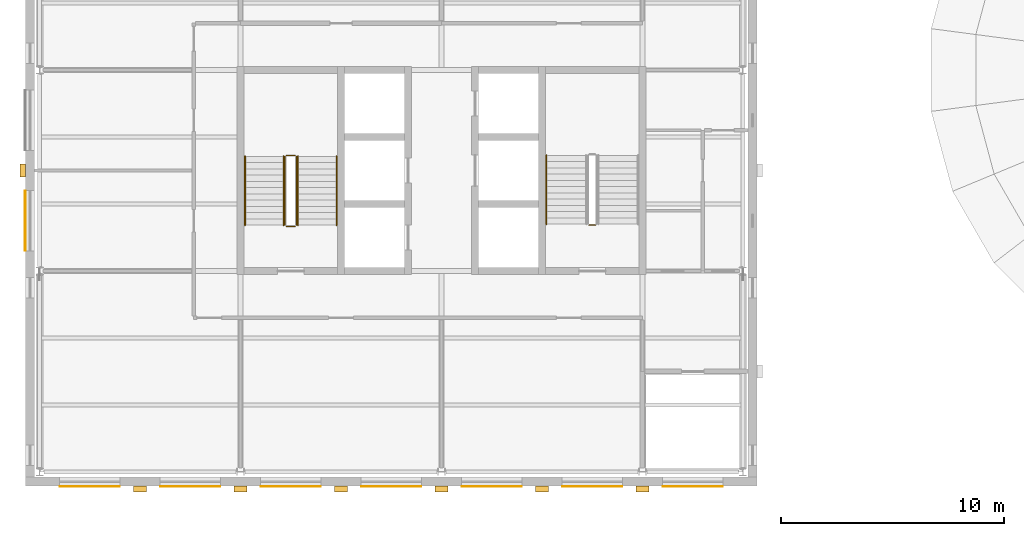
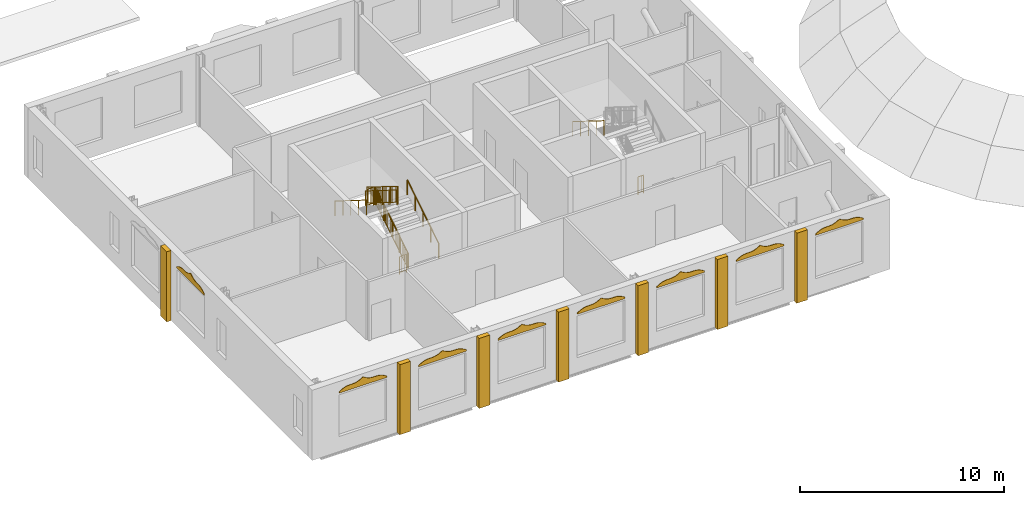
# One storey, part 14 of 15: 15 coverings, 10 railings.
"""IFC4 building model written with IfcOpenShell, lengths in metres."""

from ifc_helpers import new_model, si_unit, direction, frame, origin, origin_2d, place, context, subcontext, project, spatial, polyline, rectangle, circle, outline, extrude, material, layer, layer_set, type_object, element, save


model = new_model("IFC4")

# Units and contexts
model_context = context("Model", 3, precision=1e-05, world=origin(), true_north=direction((0.0, 1.0)))
body_context = subcontext(model_context, "Body", "Model", "MODEL_VIEW")
ifc_project = project(units=[si_unit("LENGTHUNIT", "METRE"), si_unit("AREAUNIT", "SQUARE_METRE"), si_unit("VOLUMEUNIT", "CUBIC_METRE"), si_unit("PLANEANGLEUNIT", "RADIAN"), si_unit("MASSUNIT", "GRAM", prefix="KILO")], contexts=[model_context])

# Site, building, storey
site_placement = place(None, origin())
site = spatial("IfcSite", under=ifc_project, at=site_placement, CompositionType="ELEMENT")
building_placement = place(site_placement, origin())
building = spatial("IfcBuilding", under=site, at=building_placement, Name="Hortulan Conservatory and Botanical Research Centre", CompositionType="ELEMENT")
storey_placement = place(building_placement, frame((0.0, 0.0, 23.39990234375)))
storey = spatial("IfcBuildingStorey", under=building, at=storey_placement, Name="L05", CompositionType="ELEMENT", Elevation=23.39990234375)

# Coverings
ifc_material_1 = material(Name="Faience cladding, cream glaze (non-combustible)", Category="ceramic")
ifc_layer_1 = layer(ifc_material_1, 0.030029296875)
ifc_layer_set_1 = layer_set([ifc_layer_1], Name="Faience Ogee Head Panel Cream 2700x500")
covering_type_1 = type_object("IfcCoveringType", Name="Faience Ogee Head Panel Cream 2700x500", PredefinedType="CLADDING", material=ifc_layer_set_1)
for number, where, z_axis, x_axis, name in (
    (1, (3.60009765625, -0.65087890625, 3.52001953125), (0.0, 0.0, 1.0), (-1.0, 0.0, 0.0), "Ogee head panel"),
    (2, (26.10009765625, -0.65087890625, 3.52001953125), (0.0, 0.0, 1.0), (-1.0, 0.0, 0.0), "Ogee head panel"),
    (3, (30.60009765625, -0.65087890625, 3.52001953125), (0.0, 0.0, 1.0), (-1.0, 0.0, 0.0), "Ogee head panel"),
):
    element("IfcCovering", number, at=place(storey_placement, frame(where, z_axis=z_axis, x_axis=x_axis)), inside=storey, type_object=covering_type_1, Name=name, PredefinedType="CLADDING", context=body_context, shape_type="SweptSolid", body=[
        extrude(outline(polyline([(0.0, 0.0), (2.699951171875, 0.0), (2.699951171875, 0.080078125), (2.58740234375, 0.148681640625), (2.47509765625, 0.208251953125), (2.362548828125, 0.252197265625), (2.25, 0.2783203125), (2.137451171875, 0.28857421875), (2.02490234375, 0.2900390625), (1.91259765625, 0.29150390625), (1.800048828125, 0.3017578125), (1.6875, 0.327880859375), (1.574951171875, 0.371826171875), (1.46240234375, 0.431396484375), (1.35009765625, 0.5), (1.237548828125, 0.431396484375), (1.125, 0.371826171875), (1.012451171875, 0.327880859375), (0.89990234375, 0.3017578125), (0.78759765625, 0.29150390625), (0.675048828125, 0.2900390625), (0.5625, 0.28857421875), (0.449951171875, 0.2783203125), (0.33740234375, 0.252197265625), (0.22509765625, 0.208251953125), (0.112548828125, 0.148681640625), (0.0, 0.080078125), (0.0, 0.0)])), frame((0.0, 0.01513671875, 0.0), z_axis=(0.0, -1.0, 0.0), x_axis=(1.0, 0.0, 0.0)), (0.0, 0.0, 1.0), 0.030029296875),
    ])
ifc_material_2 = material(Name="Faience cladding, waratah crimson glaze (non-combustible)", Category="ceramic")
ifc_layer_2 = layer(ifc_material_2, 0.030029296875)
ifc_layer_set_2 = layer_set([ifc_layer_2], Name="Faience Ogee Head Panel Crimson 2700x500")
covering_type_2 = type_object("IfcCoveringType", Name="Faience Ogee Head Panel Crimson 2700x500", PredefinedType="CLADDING", material=ifc_layer_set_2)
for number, where, z_axis, x_axis, name in (
    (4, (8.10009765625, -0.65087890625, 3.52001953125), (0.0, 0.0, 1.0), (-1.0, 0.0, 0.0), "Ogee head panel"),
    (5, (12.60009765625, -0.65087890625, 3.52001953125), (0.0, 0.0, 1.0), (-1.0, 0.0, 0.0), "Ogee head panel"),
    (6, (-0.639892578125, 9.89990234375, 3.52001953125), (0.0, 0.0, 1.0), (0.0, 1.0, 0.0), "Ogee head panel"),
):
    element("IfcCovering", number, at=place(storey_placement, frame(where, z_axis=z_axis, x_axis=x_axis)), inside=storey, type_object=covering_type_2, Name=name, PredefinedType="CLADDING", context=body_context, shape_type="SweptSolid", body=[
        extrude(outline(polyline([(0.0, 0.0), (2.699951171875, 0.0), (2.699951171875, 0.080078125), (2.58740234375, 0.148681640625), (2.47509765625, 0.208251953125), (2.362548828125, 0.252197265625), (2.25, 0.2783203125), (2.137451171875, 0.28857421875), (2.02490234375, 0.2900390625), (1.91259765625, 0.29150390625), (1.800048828125, 0.3017578125), (1.6875, 0.327880859375), (1.574951171875, 0.371826171875), (1.46240234375, 0.431396484375), (1.35009765625, 0.5), (1.237548828125, 0.431396484375), (1.125, 0.371826171875), (1.012451171875, 0.327880859375), (0.89990234375, 0.3017578125), (0.78759765625, 0.29150390625), (0.675048828125, 0.2900390625), (0.5625, 0.28857421875), (0.449951171875, 0.2783203125), (0.33740234375, 0.252197265625), (0.22509765625, 0.208251953125), (0.112548828125, 0.148681640625), (0.0, 0.080078125), (0.0, 0.0)])), frame((0.0, 0.01513671875, 0.0), z_axis=(0.0, -1.0, 0.0), x_axis=(1.0, 0.0, 0.0)), (0.0, 0.0, 1.0), 0.030029296875),
    ])
ifc_material_3 = material(Name="Faience cladding, harbour teal glaze (non-combustible)", Category="ceramic")
ifc_layer_3 = layer(ifc_material_3, 0.030029296875)
ifc_layer_set_3 = layer_set([ifc_layer_3], Name="Faience Ogee Head Panel Teal 2700x500")
covering_type_3 = type_object("IfcCoveringType", Name="Faience Ogee Head Panel Teal 2700x500", PredefinedType="CLADDING", material=ifc_layer_set_3)
for number, where, z_axis, x_axis, name in (
    (7, (17.10009765625, -0.65087890625, 3.52001953125), (0.0, 0.0, 1.0), (-1.0, 0.0, 0.0), "Ogee head panel"),
    (8, (21.60009765625, -0.65087890625, 3.52001953125), (0.0, 0.0, 1.0), (-1.0, 0.0, 0.0), "Ogee head panel"),
):
    element("IfcCovering", number, at=place(storey_placement, frame(where, z_axis=z_axis, x_axis=x_axis)), inside=storey, type_object=covering_type_3, Name=name, PredefinedType="CLADDING", context=body_context, shape_type="SweptSolid", body=[
        extrude(outline(polyline([(0.0, 0.0), (2.699951171875, 0.0), (2.699951171875, 0.080078125), (2.58740234375, 0.148681640625), (2.47509765625, 0.208251953125), (2.362548828125, 0.252197265625), (2.25, 0.2783203125), (2.137451171875, 0.28857421875), (2.02490234375, 0.2900390625), (1.91259765625, 0.29150390625), (1.800048828125, 0.3017578125), (1.6875, 0.327880859375), (1.574951171875, 0.371826171875), (1.46240234375, 0.431396484375), (1.35009765625, 0.5), (1.237548828125, 0.431396484375), (1.125, 0.371826171875), (1.012451171875, 0.327880859375), (0.89990234375, 0.3017578125), (0.78759765625, 0.29150390625), (0.675048828125, 0.2900390625), (0.5625, 0.28857421875), (0.449951171875, 0.2783203125), (0.33740234375, 0.252197265625), (0.22509765625, 0.208251953125), (0.112548828125, 0.148681640625), (0.0, 0.080078125), (0.0, 0.0)])), frame((0.0, 0.01513671875, 0.0), z_axis=(0.0, -1.0, 0.0), x_axis=(1.0, 0.0, 0.0)), (0.0, 0.0, 1.0), 0.030029296875),
    ])
ifc_layer_4 = layer(ifc_material_1, 0.25)
ifc_layer_set_4 = layer_set([ifc_layer_4], Name="Faience Pilaster 600x250")
covering_type_4 = type_object("IfcCoveringType", Name="Faience Pilaster 600x250", PredefinedType="CLADDING", material=ifc_layer_set_4)
for number, where, z_axis, x_axis, name in (
    (9, (27.0, -0.760986328125, 0.0), (0.0, 0.0, 1.0), (-1.0, 0.0, 0.0), "Pier"),
    (10, (22.5, -0.760986328125, 0.0), (0.0, 0.0, 1.0), (-1.0, 0.0, 0.0), "Pier"),
    (11, (18.0, -0.760986328125, 0.0), (0.0, 0.0, 1.0), (-1.0, 0.0, 0.0), "Pier"),
    (12, (13.5, -0.760986328125, 0.0), (0.0, 0.0, 1.0), (-1.0, 0.0, 0.0), "Pier"),
    (13, (9.0, -0.760986328125, 0.0), (0.0, 0.0, 1.0), (-1.0, 0.0, 0.0), "Pier"),
    (14, (4.5, -0.760986328125, 0.0), (0.0, 0.0, 1.0), (-1.0, 0.0, 0.0), "Pier"),
    (15, (-0.75, 13.5, 0.0), (0.0, 0.0, 1.0), (0.0, 1.0, 0.0), "Pier"),
):
    element("IfcCovering", number, at=place(storey_placement, frame(where, z_axis=z_axis, x_axis=x_axis)), inside=storey, type_object=covering_type_4, Name=name, PredefinedType="CLADDING", context=body_context, shape_type="SweptSolid", body=[
        extrude(rectangle(XDim=0.60009765625, YDim=0.25, at=origin_2d()), origin(), (0.0, 0.0, 1.0), 4.199951171875),
    ])

# Railings
ifc_material_4 = material(Name="Steel balustrade, bronze-charcoal paint", Category="steel")
railing_type_1 = type_object("IfcRailingType", Name="Stair Guard 1100", PredefinedType="GUARDRAIL", material=ifc_material_4)
railing_1_placement = place(storey_placement, frame((11.5, 11.050048828125, 0.175048828125)))
element("IfcRailing", 16, at=railing_1_placement, inside=storey, type_object=railing_type_1, Name="Guard T1 L05 stair 1", PredefinedType="GUARDRAIL", context=body_context, shape_type="SweptSolid", body=[
    extrude(circle(Radius=0.02392578125, at=origin_2d()), frame((0.0, 0.0, 1.076171875), z_axis=(0.0, 0.847979421464, 0.530029150871), x_axis=(-1.0, 0.0, 0.0)), (0.0, 0.0, 1.0), 3.632080078125),
    extrude(circle(Radius=0.02392578125, at=origin_2d()), frame((0.0, 0.0, 0.1240234375), z_axis=(0.0, 0.847979421464, 0.530029150871), x_axis=(-1.0, 0.0, 0.0)), (0.0, 0.0, 1.0), 3.632080078125),
    extrude(circle(Radius=0.008056640625, at=origin_2d()), frame((0.0, 0.090576171875, 0.204833984375)), (0.0, 0.0, 1.0), 0.90380859375),
    extrude(circle(Radius=0.008056640625, at=origin_2d()), frame((0.0, 0.18115234375, 0.261474609375)), (0.0, 0.0, 1.0), 0.90380859375),
    extrude(circle(Radius=0.008056640625, at=origin_2d()), frame((0.0, 0.271728515625, 0.318115234375)), (0.0, 0.0, 1.0), 0.90380859375),
    extrude(circle(Radius=0.008056640625, at=origin_2d()), frame((0.0, 0.3623046875, 0.374755859375)), (0.0, 0.0, 1.0), 0.90380859375),
    extrude(circle(Radius=0.008056640625, at=origin_2d()), frame((0.0, 0.452880859375, 0.431396484375)), (0.0, 0.0, 1.0), 0.90380859375),
    extrude(circle(Radius=0.008056640625, at=origin_2d()), frame((0.0, 0.54345703125, 0.48779296875)), (0.0, 0.0, 1.0), 0.90380859375),
    extrude(circle(Radius=0.008056640625, at=origin_2d()), frame((0.0, 0.634033203125, 0.54443359375)), (0.0, 0.0, 1.0), 0.90380859375),
    extrude(circle(Radius=0.008056640625, at=origin_2d()), frame((0.0, 0.724609375, 0.60107421875)), (0.0, 0.0, 1.0), 0.90380859375),
    extrude(circle(Radius=0.008056640625, at=origin_2d()), frame((0.0, 0.815185546875, 0.65771484375)), (0.0, 0.0, 1.0), 0.90380859375),
    extrude(circle(Radius=0.008056640625, at=origin_2d()), frame((0.0, 0.90576171875, 0.71435546875)), (0.0, 0.0, 1.0), 0.90380859375),
    extrude(circle(Radius=0.008056640625, at=origin_2d()), frame((0.0, 0.996337890625, 0.77099609375)), (0.0, 0.0, 1.0), 0.90380859375),
    extrude(circle(Radius=0.008056640625, at=origin_2d()), frame((0.0, 1.0869140625, 0.82763671875)), (0.0, 0.0, 1.0), 0.90380859375),
    extrude(circle(Radius=0.008056640625, at=origin_2d()), frame((0.0, 1.177490234375, 0.88427734375)), (0.0, 0.0, 1.0), 0.90380859375),
    extrude(circle(Radius=0.008056640625, at=origin_2d()), frame((0.0, 1.26806640625, 0.94091796875)), (0.0, 0.0, 1.0), 0.90380859375),
    extrude(circle(Radius=0.008056640625, at=origin_2d()), frame((0.0, 1.358642578125, 0.99755859375)), (0.0, 0.0, 1.0), 0.90380859375),
    extrude(circle(Radius=0.008056640625, at=origin_2d()), frame((0.0, 1.44921875, 1.05419921875)), (0.0, 0.0, 1.0), 0.90380859375),
    extrude(circle(Radius=0.008056640625, at=origin_2d()), frame((0.0, 1.5400390625, 1.11083984375)), (0.0, 0.0, 1.0), 0.90380859375),
    extrude(circle(Radius=0.008056640625, at=origin_2d()), frame((0.0, 1.630615234375, 1.167236328125)), (0.0, 0.0, 1.0), 0.90380859375),
    extrude(circle(Radius=0.008056640625, at=origin_2d()), frame((0.0, 1.72119140625, 1.223876953125)), (0.0, 0.0, 1.0), 0.90380859375),
    extrude(circle(Radius=0.008056640625, at=origin_2d()), frame((0.0, 1.811767578125, 1.280517578125)), (0.0, 0.0, 1.0), 0.90380859375),
    extrude(circle(Radius=0.008056640625, at=origin_2d()), frame((0.0, 1.90234375, 1.337158203125)), (0.0, 0.0, 1.0), 0.90380859375),
    extrude(circle(Radius=0.008056640625, at=origin_2d()), frame((0.0, 1.992919921875, 1.393798828125)), (0.0, 0.0, 1.0), 0.90380859375),
    extrude(circle(Radius=0.008056640625, at=origin_2d()), frame((0.0, 2.08349609375, 1.450439453125)), (0.0, 0.0, 1.0), 0.90380859375),
    extrude(circle(Radius=0.008056640625, at=origin_2d()), frame((0.0, 2.174072265625, 1.507080078125)), (0.0, 0.0, 1.0), 0.90380859375),
    extrude(circle(Radius=0.008056640625, at=origin_2d()), frame((0.0, 2.2646484375, 1.563720703125)), (0.0, 0.0, 1.0), 0.90380859375),
    extrude(circle(Radius=0.008056640625, at=origin_2d()), frame((0.0, 2.355224609375, 1.620361328125)), (0.0, 0.0, 1.0), 0.90380859375),
    extrude(circle(Radius=0.008056640625, at=origin_2d()), frame((0.0, 2.44580078125, 1.677001953125)), (0.0, 0.0, 1.0), 0.90380859375),
    extrude(circle(Radius=0.008056640625, at=origin_2d()), frame((0.0, 2.536376953125, 1.733642578125)), (0.0, 0.0, 1.0), 0.90380859375),
    extrude(circle(Radius=0.008056640625, at=origin_2d()), frame((0.0, 2.626953125, 1.7900390625)), (0.0, 0.0, 1.0), 0.90380859375),
    extrude(circle(Radius=0.008056640625, at=origin_2d()), frame((0.0, 2.717529296875, 1.8466796875)), (0.0, 0.0, 1.0), 0.90380859375),
    extrude(circle(Radius=0.008056640625, at=origin_2d()), frame((0.0, 2.80810546875, 1.9033203125)), (0.0, 0.0, 1.0), 0.90380859375),
    extrude(circle(Radius=0.008056640625, at=origin_2d()), frame((0.0, 2.898681640625, 1.9599609375)), (0.0, 0.0, 1.0), 0.90380859375),
    extrude(circle(Radius=0.008056640625, at=origin_2d()), frame((0.0, 2.9892578125, 2.0166015625)), (0.0, 0.0, 1.0), 0.90380859375),
    extrude(circle(Radius=0.02099609375, at=origin_2d()), origin(), (0.0, 0.0, 1.0), 1.052001953125),
    extrude(circle(Radius=0.02099609375, at=origin_2d()), frame((0.0, 0.77001953125, 0.481201171875)), (0.0, 0.0, 1.0), 1.052001953125),
    extrude(circle(Radius=0.02099609375, at=origin_2d()), frame((0.0, 1.5400390625, 0.96240234375)), (0.0, 0.0, 1.0), 1.052001953125),
    extrude(circle(Radius=0.02099609375, at=origin_2d()), frame((0.0, 2.309814453125, 1.44384765625)), (0.0, 0.0, 1.0), 1.052001953125),
    extrude(circle(Radius=0.02099609375, at=origin_2d()), frame((0.0, 3.079833984375, 1.925048828125)), (0.0, 0.0, 1.0), 1.052001953125),
])
railing_2_placement = place(storey_placement, frame((11.449951171875, 14.179931640625, 2.10009765625)))
element("IfcRailing", 17, at=railing_2_placement, inside=storey, type_object=railing_type_1, Name="Guard T1 L05 stair 2", PredefinedType="GUARDRAIL", context=body_context, shape_type="SweptSolid", body=[
    extrude(circle(Radius=0.02392578125, at=origin_2d()), frame((0.0, 0.0, 1.076171875), z_axis=(-1.0, 0.0, 0.0), x_axis=(0.0, -1.0, 0.0)), (0.0, 0.0, 1.0), 0.39990234375),
    extrude(circle(Radius=0.02392578125, at=origin_2d()), frame((0.0, 0.0, 0.1240234375), z_axis=(-1.0, 0.0, 0.0), x_axis=(0.0, -1.0, 0.0)), (0.0, 0.0, 1.0), 0.39990234375),
    extrude(circle(Radius=0.008056640625, at=origin_2d()), frame((-0.10009765625, 0.0, 0.148193359375)), (0.0, 0.0, 1.0), 0.90380859375),
    extrude(circle(Radius=0.008056640625, at=origin_2d()), frame((-0.199951171875, 0.0, 0.148193359375)), (0.0, 0.0, 1.0), 0.90380859375),
    extrude(circle(Radius=0.008056640625, at=origin_2d()), frame((-0.2998046875, 0.0, 0.148193359375)), (0.0, 0.0, 1.0), 0.90380859375),
    extrude(circle(Radius=0.02099609375, at=origin_2d()), origin(), (0.0, 0.0, 1.0), 1.052001953125),
    extrude(circle(Radius=0.02099609375, at=origin_2d()), frame((-0.39990234375, 0.0, 0.0)), (0.0, 0.0, 1.0), 1.052001953125),
])
railing_3_placement = place(storey_placement, frame((11.0, 14.1298828125, 2.275146484375)))
element("IfcRailing", 18, at=railing_3_placement, inside=storey, type_object=railing_type_1, Name="Guard T1 L05 stair 3", PredefinedType="GUARDRAIL", context=body_context, shape_type="SweptSolid", body=[
    extrude(circle(Radius=0.02392578125, at=origin_2d()), frame((0.0, 0.0, 1.076171875), z_axis=(0.0, -0.847979421464, 0.530029150871), x_axis=(1.0, 0.0, 0.0)), (0.0, 0.0, 1.0), 3.632080078125),
    extrude(circle(Radius=0.02392578125, at=origin_2d()), frame((0.0, 0.0, 0.1240234375), z_axis=(0.0, -0.847979421464, 0.530029150871), x_axis=(1.0, 0.0, 0.0)), (0.0, 0.0, 1.0), 3.632080078125),
    extrude(circle(Radius=0.008056640625, at=origin_2d()), frame((0.0, -0.090576171875, 0.204833984375)), (0.0, 0.0, 1.0), 0.90380859375),
    extrude(circle(Radius=0.008056640625, at=origin_2d()), frame((0.0, -0.18115234375, 0.261474609375)), (0.0, 0.0, 1.0), 0.90380859375),
    extrude(circle(Radius=0.008056640625, at=origin_2d()), frame((0.0, -0.271728515625, 0.318115234375)), (0.0, 0.0, 1.0), 0.90380859375),
    extrude(circle(Radius=0.008056640625, at=origin_2d()), frame((0.0, -0.3623046875, 0.374755859375)), (0.0, 0.0, 1.0), 0.90380859375),
    extrude(circle(Radius=0.008056640625, at=origin_2d()), frame((0.0, -0.452880859375, 0.431396484375)), (0.0, 0.0, 1.0), 0.90380859375),
    extrude(circle(Radius=0.008056640625, at=origin_2d()), frame((0.0, -0.54345703125, 0.48779296875)), (0.0, 0.0, 1.0), 0.90380859375),
    extrude(circle(Radius=0.008056640625, at=origin_2d()), frame((0.0, -0.634033203125, 0.54443359375)), (0.0, 0.0, 1.0), 0.90380859375),
    extrude(circle(Radius=0.008056640625, at=origin_2d()), frame((0.0, -0.724609375, 0.60107421875)), (0.0, 0.0, 1.0), 0.90380859375),
    extrude(circle(Radius=0.008056640625, at=origin_2d()), frame((0.0, -0.815185546875, 0.65771484375)), (0.0, 0.0, 1.0), 0.90380859375),
    extrude(circle(Radius=0.008056640625, at=origin_2d()), frame((0.0, -0.90576171875, 0.71435546875)), (0.0, 0.0, 1.0), 0.90380859375),
    extrude(circle(Radius=0.008056640625, at=origin_2d()), frame((0.0, -0.996337890625, 0.77099609375)), (0.0, 0.0, 1.0), 0.90380859375),
    extrude(circle(Radius=0.008056640625, at=origin_2d()), frame((0.0, -1.0869140625, 0.82763671875)), (0.0, 0.0, 1.0), 0.90380859375),
    extrude(circle(Radius=0.008056640625, at=origin_2d()), frame((0.0, -1.177490234375, 0.88427734375)), (0.0, 0.0, 1.0), 0.90380859375),
    extrude(circle(Radius=0.008056640625, at=origin_2d()), frame((0.0, -1.26806640625, 0.94091796875)), (0.0, 0.0, 1.0), 0.90380859375),
    extrude(circle(Radius=0.008056640625, at=origin_2d()), frame((0.0, -1.358642578125, 0.99755859375)), (0.0, 0.0, 1.0), 0.90380859375),
    extrude(circle(Radius=0.008056640625, at=origin_2d()), frame((0.0, -1.44921875, 1.05419921875)), (0.0, 0.0, 1.0), 0.90380859375),
    extrude(circle(Radius=0.008056640625, at=origin_2d()), frame((0.0, -1.5400390625, 1.11083984375)), (0.0, 0.0, 1.0), 0.90380859375),
    extrude(circle(Radius=0.008056640625, at=origin_2d()), frame((0.0, -1.630615234375, 1.167236328125)), (0.0, 0.0, 1.0), 0.90380859375),
    extrude(circle(Radius=0.008056640625, at=origin_2d()), frame((0.0, -1.72119140625, 1.223876953125)), (0.0, 0.0, 1.0), 0.90380859375),
    extrude(circle(Radius=0.008056640625, at=origin_2d()), frame((0.0, -1.811767578125, 1.280517578125)), (0.0, 0.0, 1.0), 0.90380859375),
    extrude(circle(Radius=0.008056640625, at=origin_2d()), frame((0.0, -1.90234375, 1.337158203125)), (0.0, 0.0, 1.0), 0.90380859375),
    extrude(circle(Radius=0.008056640625, at=origin_2d()), frame((0.0, -1.992919921875, 1.393798828125)), (0.0, 0.0, 1.0), 0.90380859375),
    extrude(circle(Radius=0.008056640625, at=origin_2d()), frame((0.0, -2.08349609375, 1.450439453125)), (0.0, 0.0, 1.0), 0.90380859375),
    extrude(circle(Radius=0.008056640625, at=origin_2d()), frame((0.0, -2.174072265625, 1.507080078125)), (0.0, 0.0, 1.0), 0.90380859375),
    extrude(circle(Radius=0.008056640625, at=origin_2d()), frame((0.0, -2.2646484375, 1.563720703125)), (0.0, 0.0, 1.0), 0.90380859375),
    extrude(circle(Radius=0.008056640625, at=origin_2d()), frame((0.0, -2.355224609375, 1.620361328125)), (0.0, 0.0, 1.0), 0.90380859375),
    extrude(circle(Radius=0.008056640625, at=origin_2d()), frame((0.0, -2.44580078125, 1.677001953125)), (0.0, 0.0, 1.0), 0.90380859375),
    extrude(circle(Radius=0.008056640625, at=origin_2d()), frame((0.0, -2.536376953125, 1.733642578125)), (0.0, 0.0, 1.0), 0.90380859375),
    extrude(circle(Radius=0.008056640625, at=origin_2d()), frame((0.0, -2.626953125, 1.7900390625)), (0.0, 0.0, 1.0), 0.90380859375),
    extrude(circle(Radius=0.008056640625, at=origin_2d()), frame((0.0, -2.717529296875, 1.8466796875)), (0.0, 0.0, 1.0), 0.90380859375),
    extrude(circle(Radius=0.008056640625, at=origin_2d()), frame((0.0, -2.80810546875, 1.9033203125)), (0.0, 0.0, 1.0), 0.90380859375),
    extrude(circle(Radius=0.008056640625, at=origin_2d()), frame((0.0, -2.898681640625, 1.9599609375)), (0.0, 0.0, 1.0), 0.90380859375),
    extrude(circle(Radius=0.008056640625, at=origin_2d()), frame((0.0, -2.9892578125, 2.0166015625)), (0.0, 0.0, 1.0), 0.90380859375),
    extrude(circle(Radius=0.02099609375, at=origin_2d()), origin(), (0.0, 0.0, 1.0), 1.052001953125),
    extrude(circle(Radius=0.02099609375, at=origin_2d()), frame((0.0, -0.77001953125, 0.481201171875)), (0.0, 0.0, 1.0), 1.052001953125),
    extrude(circle(Radius=0.02099609375, at=origin_2d()), frame((0.0, -1.5400390625, 0.96240234375)), (0.0, 0.0, 1.0), 1.052001953125),
    extrude(circle(Radius=0.02099609375, at=origin_2d()), frame((0.0, -2.309814453125, 1.44384765625)), (0.0, 0.0, 1.0), 1.052001953125),
    extrude(circle(Radius=0.02099609375, at=origin_2d()), frame((0.0, -3.079833984375, 1.925048828125)), (0.0, 0.0, 1.0), 1.052001953125),
])
railing_4_placement = place(storey_placement, frame((11.449951171875, 11.0, 0.0)))
element("IfcRailing", 19, at=railing_4_placement, inside=storey, type_object=railing_type_1, Name="Guard T1 L05 stair 4", PredefinedType="GUARDRAIL", context=body_context, shape_type="SweptSolid", body=[
    extrude(circle(Radius=0.02392578125, at=origin_2d()), frame((0.0, 0.0, 1.076171875), z_axis=(-1.0, 0.0, 0.0), x_axis=(0.0, -1.0, 0.0)), (0.0, 0.0, 1.0), 0.39990234375),
    extrude(circle(Radius=0.02392578125, at=origin_2d()), frame((0.0, 0.0, 0.1240234375), z_axis=(-1.0, 0.0, 0.0), x_axis=(0.0, -1.0, 0.0)), (0.0, 0.0, 1.0), 0.39990234375),
    extrude(circle(Radius=0.008056640625, at=origin_2d()), frame((-0.10009765625, 0.0, 0.148193359375)), (0.0, 0.0, 1.0), 0.90380859375),
    extrude(circle(Radius=0.008056640625, at=origin_2d()), frame((-0.199951171875, 0.0, 0.148193359375)), (0.0, 0.0, 1.0), 0.90380859375),
    extrude(circle(Radius=0.008056640625, at=origin_2d()), frame((-0.2998046875, 0.0, 0.148193359375)), (0.0, 0.0, 1.0), 0.90380859375),
    extrude(circle(Radius=0.02099609375, at=origin_2d()), origin(), (0.0, 0.0, 1.0), 1.052001953125),
    extrude(circle(Radius=0.02099609375, at=origin_2d()), frame((-0.39990234375, 0.0, 0.0)), (0.0, 0.0, 1.0), 1.052001953125),
])
railing_5_placement = place(storey_placement, frame((24.89990234375, 11.050048828125, 0.0)))
element("IfcRailing", 20, at=railing_5_placement, inside=storey, type_object=railing_type_1, Name="Guard T2 L05 stair 4", PredefinedType="GUARDRAIL", context=body_context, shape_type="SweptSolid", body=[
    extrude(circle(Radius=0.02392578125, at=origin_2d()), frame((0.0, 0.0, 1.076171875), z_axis=(-1.0, 0.0, 0.0), x_axis=(0.0, -1.0, 0.0)), (0.0, 0.0, 1.0), 0.2998046875),
    extrude(circle(Radius=0.02392578125, at=origin_2d()), frame((0.0, 0.0, 0.1240234375), z_axis=(-1.0, 0.0, 0.0), x_axis=(0.0, -1.0, 0.0)), (0.0, 0.0, 1.0), 0.2998046875),
    extrude(circle(Radius=0.008056640625, at=origin_2d()), frame((-0.099853515625, 0.0, 0.148193359375)), (0.0, 0.0, 1.0), 0.90380859375),
    extrude(circle(Radius=0.008056640625, at=origin_2d()), frame((-0.199951171875, 0.0, 0.148193359375)), (0.0, 0.0, 1.0), 0.90380859375),
    extrude(circle(Radius=0.02099609375, at=origin_2d()), origin(), (0.0, 0.0, 1.0), 1.052001953125),
    extrude(circle(Radius=0.02099609375, at=origin_2d()), frame((-0.2998046875, 0.0, 0.0)), (0.0, 0.0, 1.0), 1.052001953125),
])
ifc_material_5 = material(Name="Bronze handrail, polished", Category="metal")
railing_type_2 = type_object("IfcRailingType", Name="Stair Handrail 900", PredefinedType="HANDRAIL", material=ifc_material_5)
railing_6_placement = place(storey_placement, frame((13.300048828125, 11.050048828125, 0.175048828125)))
element("IfcRailing", 21, at=railing_6_placement, inside=storey, type_object=railing_type_2, Name="Handrail T1 L05 stair 1", PredefinedType="HANDRAIL", context=body_context, shape_type="SweptSolid", body=[
    extrude(circle(Radius=0.02392578125, at=origin_2d()), frame((0.0, 0.0, 0.8759765625), z_axis=(0.0, 0.847979421464, 0.530029150871), x_axis=(-1.0, 0.0, 0.0)), (0.0, 0.0, 1.0), 3.632080078125),
    extrude(circle(Radius=0.02099609375, at=origin_2d()), origin(), (0.0, 0.0, 1.0), 0.851806640625),
    extrude(circle(Radius=0.02099609375, at=origin_2d()), frame((0.0, 0.77001953125, 0.481201171875)), (0.0, 0.0, 1.0), 0.851806640625),
    extrude(circle(Radius=0.02099609375, at=origin_2d()), frame((0.0, 1.5400390625, 0.96240234375)), (0.0, 0.0, 1.0), 0.851806640625),
    extrude(circle(Radius=0.02099609375, at=origin_2d()), frame((0.0, 2.309814453125, 1.44384765625)), (0.0, 0.0, 1.0), 0.851806640625),
    extrude(circle(Radius=0.02099609375, at=origin_2d()), frame((0.0, 3.079833984375, 1.925048828125)), (0.0, 0.0, 1.0), 0.851806640625),
])
railing_7_placement = place(storey_placement, frame((9.199951171875, 14.1298828125, 2.275146484375)))
element("IfcRailing", 22, at=railing_7_placement, inside=storey, type_object=railing_type_2, Name="Handrail T1 L05 stair 2", PredefinedType="HANDRAIL", context=body_context, shape_type="SweptSolid", body=[
    extrude(circle(Radius=0.02392578125, at=origin_2d()), frame((0.0, 0.0, 0.8759765625), z_axis=(0.0, -0.847979421464, 0.530029150871), x_axis=(1.0, 0.0, 0.0)), (0.0, 0.0, 1.0), 3.632080078125),
    extrude(circle(Radius=0.02099609375, at=origin_2d()), origin(), (0.0, 0.0, 1.0), 0.851806640625),
    extrude(circle(Radius=0.02099609375, at=origin_2d()), frame((0.0, -0.77001953125, 0.481201171875)), (0.0, 0.0, 1.0), 0.851806640625),
    extrude(circle(Radius=0.02099609375, at=origin_2d()), frame((0.0, -1.5400390625, 0.96240234375)), (0.0, 0.0, 1.0), 0.851806640625),
    extrude(circle(Radius=0.02099609375, at=origin_2d()), frame((0.0, -2.309814453125, 1.44384765625)), (0.0, 0.0, 1.0), 0.851806640625),
    extrude(circle(Radius=0.02099609375, at=origin_2d()), frame((0.0, -3.079833984375, 1.925048828125)), (0.0, 0.0, 1.0), 0.851806640625),
])
railing_8_placement = place(storey_placement, frame((11.570068359375, 11.050048828125, 0.175048828125)))
element("IfcRailing", 23, at=railing_8_placement, inside=storey, type_object=railing_type_2, Name="Handrail T1 L05 stair 3", PredefinedType="HANDRAIL", context=body_context, shape_type="SweptSolid", body=[
    extrude(circle(Radius=0.02392578125, at=origin_2d()), frame((0.0, 0.0, 0.8759765625), z_axis=(0.0, 0.847979421464, 0.530029150871), x_axis=(-1.0, 0.0, 0.0)), (0.0, 0.0, 1.0), 3.632080078125),
    extrude(circle(Radius=0.02099609375, at=origin_2d()), origin(), (0.0, 0.0, 1.0), 0.851806640625),
    extrude(circle(Radius=0.02099609375, at=origin_2d()), frame((0.0, 0.77001953125, 0.481201171875)), (0.0, 0.0, 1.0), 0.851806640625),
    extrude(circle(Radius=0.02099609375, at=origin_2d()), frame((0.0, 1.5400390625, 0.96240234375)), (0.0, 0.0, 1.0), 0.851806640625),
    extrude(circle(Radius=0.02099609375, at=origin_2d()), frame((0.0, 2.309814453125, 1.44384765625)), (0.0, 0.0, 1.0), 0.851806640625),
    extrude(circle(Radius=0.02099609375, at=origin_2d()), frame((0.0, 3.079833984375, 1.925048828125)), (0.0, 0.0, 1.0), 0.851806640625),
])
for number, where, name in (
    (24, (10.929931640625, 14.1298828125, 2.275146484375), "Handrail T1 L05 stair 4"),
    (25, (22.699951171875, 14.179931640625, 2.275146484375), "Handrail T2 L05 stair 2"),
):
    element("IfcRailing", number, at=place(storey_placement, frame(where)), inside=storey, type_object=railing_type_2, Name=name, PredefinedType="HANDRAIL", context=body_context, shape_type="SweptSolid", body=[
        extrude(circle(Radius=0.02392578125, at=origin_2d()), frame((0.0, 0.0, 0.8759765625), z_axis=(0.0, -0.847979421464, 0.530029150871), x_axis=(1.0, 0.0, 0.0)), (0.0, 0.0, 1.0), 3.632080078125),
        extrude(circle(Radius=0.02099609375, at=origin_2d()), origin(), (0.0, 0.0, 1.0), 0.851806640625),
        extrude(circle(Radius=0.02099609375, at=origin_2d()), frame((0.0, -0.77001953125, 0.481201171875)), (0.0, 0.0, 1.0), 0.851806640625),
        extrude(circle(Radius=0.02099609375, at=origin_2d()), frame((0.0, -1.5400390625, 0.96240234375)), (0.0, 0.0, 1.0), 0.851806640625),
        extrude(circle(Radius=0.02099609375, at=origin_2d()), frame((0.0, -2.309814453125, 1.44384765625)), (0.0, 0.0, 1.0), 0.851806640625),
        extrude(circle(Radius=0.02099609375, at=origin_2d()), frame((0.0, -3.079833984375, 1.925048828125)), (0.0, 0.0, 1.0), 0.851806640625),
    ])

save(model, "model.ifc")
